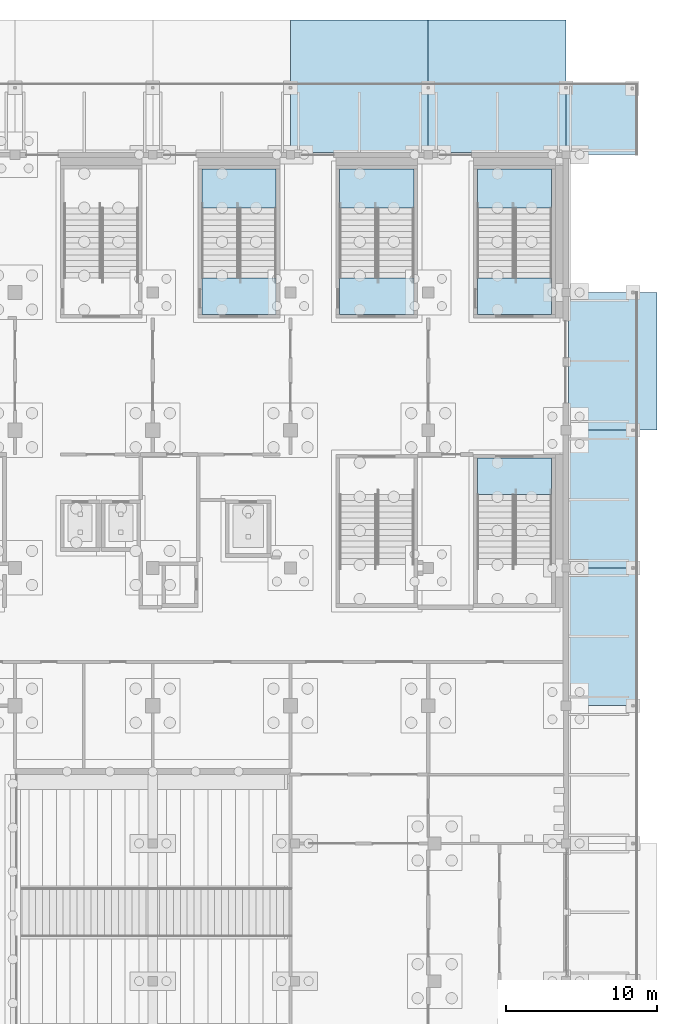
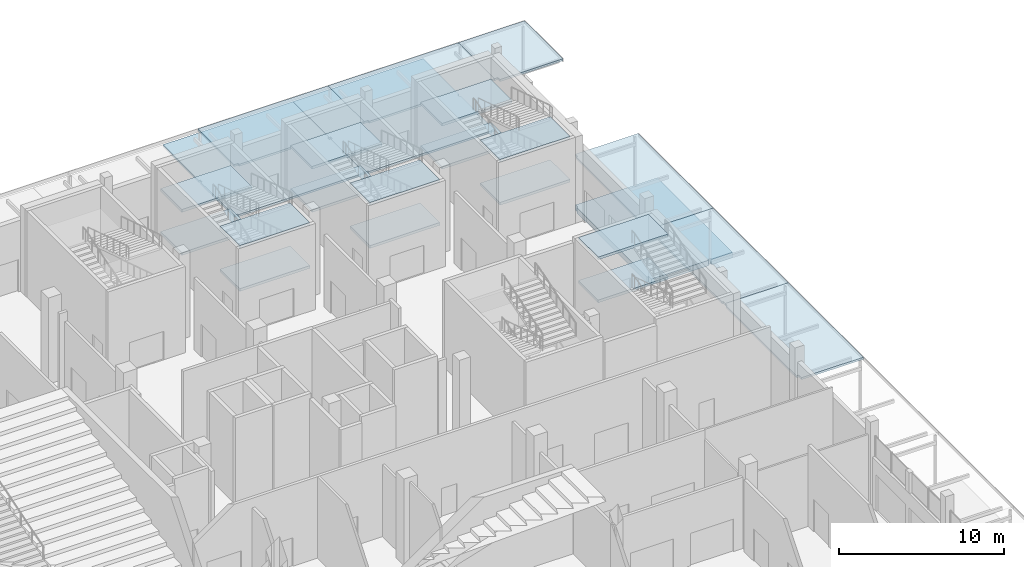
# One storey, part 66 of 129: 23 slabs, 4 elements without a shape of their own.
"""IFC4 building model written with IfcOpenShell, lengths in metres."""

from ifc_helpers import new_model, si_unit, direction, frame, origin, place, context, subcontext, project, spatial, polyline, outline, extrude, material, layer, layer_set, type_object, element, aggregate, save


model = new_model("IFC4")

# Units and contexts
model_context = context("Model", 3, precision=1e-05, world=origin(), true_north=direction((0.0, 1.0)))
body_context = subcontext(model_context, "Body", "Model", "MODEL_VIEW")
ifc_project = project(units=[si_unit("LENGTHUNIT", "METRE"), si_unit("AREAUNIT", "SQUARE_METRE"), si_unit("VOLUMEUNIT", "CUBIC_METRE"), si_unit("PLANEANGLEUNIT", "RADIAN"), si_unit("MASSUNIT", "GRAM", prefix="KILO")], contexts=[model_context])

# Site, building, storey
site_placement = place(None, origin())
site = spatial("IfcSite", under=ifc_project, at=site_placement, CompositionType="ELEMENT")
building_placement = place(site_placement, origin())
building = spatial("IfcBuilding", under=site, at=building_placement, Name="Shirokan Park Arena", CompositionType="ELEMENT")
storey_placement = place(building_placement, origin())
storey = spatial("IfcBuildingStorey", under=building, at=storey_placement, Name="L00", CompositionType="ELEMENT", Elevation=0.0)

# Slabs
ifc_material_1 = material(Name="Zinc standing seam sheet")
ifc_layer_1 = layer(ifc_material_1, 0.0048828125, Name="Zinc standing seam sheet")
ifc_material_2 = material(Name="Mineral wool insulation")
ifc_layer_2 = layer(ifc_material_2, 0.050048828125, Name="Mineral wool insulation")
ifc_material_3 = material(Name="Cross-laminated timber deck", Category="wood")
ifc_layer_3 = layer(ifc_material_3, 0.094970703125, Name="Cross-laminated timber deck")
ifc_layer_set_1 = layer_set([ifc_layer_1, ifc_layer_2, ifc_layer_3], Name="Zinc standing seam sheet + Mineral wool insulation + Cross-laminated timber deck")
slab_type_1 = type_object("IfcSlabType", Name="Canopy deck 150", PredefinedType="ROOF", material=ifc_layer_set_1)
slab_1_placement = place(storey_placement, frame((0.0, 0.0, 3.60009765625)))
element("IfcSlab", 1, at=slab_1_placement, inside=storey, type_object=slab_type_1, Name="Canopy deck east bay 9", PredefinedType="ROOF", context=body_context, shape_type="SweptSolid", body=[
    extrude(outline(polyline([(145.75, 81.64990234375), (145.85009765625, 81.64990234375), (145.85009765625, 81.89990234375), (150.25, 81.89990234375), (150.25, 72.800048828125), (145.925048828125, 72.800048828125), (145.925048828125, 73.125), (145.75, 73.125), (145.75, 81.64990234375)])), origin(), (0.0, 0.0, 1.0), 0.14990234375),
])
slab_2_placement = place(storey_placement, frame((0.0, 0.0, 3.60009765625)))
element("IfcSlab", 2, at=slab_2_placement, inside=storey, type_object=slab_type_1, Name="Canopy deck east bay 10", PredefinedType="ROOF", context=body_context, shape_type="SweptSolid", body=[
    extrude(outline(polyline([(145.75, 90.675048828125), (145.925048828125, 90.675048828125), (145.925048828125, 91.0), (150.25, 91.0), (150.25, 81.89990234375), (145.85009765625, 81.89990234375), (145.85009765625, 82.14990234375), (145.75, 82.14990234375), (145.75, 90.675048828125)])), origin(), (0.0, 0.0, 1.0), 0.14990234375),
])
slab_3_placement = place(storey_placement, frame((0.0, 0.0, 3.60009765625)))
element("IfcSlab", 3, at=slab_3_placement, inside=storey, type_object=slab_type_1, Name="Canopy deck east bay 11", PredefinedType="ROOF", context=body_context, shape_type="SweptSolid", body=[
    extrude(outline(polyline([(145.75, 99.824951171875), (145.875, 99.824951171875), (145.875, 100.10009765625), (150.25, 100.10009765625), (150.25, 91.0), (145.925048828125, 91.0), (145.925048828125, 91.324951171875), (145.75, 91.324951171875), (145.75, 99.824951171875)])), origin(), (0.0, 0.0, 1.0), 0.14990234375),
])
slab_4_placement = place(storey_placement, frame((0.0, 0.0, 3.60009765625)))
element("IfcSlab", 4, at=slab_4_placement, inside=storey, type_object=slab_type_1, Name="Canopy deck north bay 1", PredefinedType="ROOF", context=body_context, shape_type="SweptSolid", body=[
    extrude(outline(polyline([(136.77490234375, 109.35009765625), (136.77490234375, 109.47509765625), (136.5, 109.47509765625), (136.5, 113.85009765625), (145.60009765625, 113.85009765625), (145.60009765625, 109.449951171875), (145.35009765625, 109.449951171875), (145.35009765625, 109.35009765625), (136.77490234375, 109.35009765625)])), origin(), (0.0, 0.0, 1.0), 0.14990234375),
])
slab_5_placement = place(storey_placement, frame((0.0, 0.0, 3.60009765625)))
element("IfcSlab", 5, at=slab_5_placement, inside=storey, type_object=slab_type_1, Name="Canopy deck north bay 2", PredefinedType="ROOF", context=body_context, shape_type="SweptSolid", body=[
    extrude(outline(polyline([(127.675048828125, 109.35009765625), (127.675048828125, 109.47509765625), (127.39990234375, 109.47509765625), (127.39990234375, 113.85009765625), (136.5, 113.85009765625), (136.5, 109.47509765625), (136.22509765625, 109.47509765625), (136.22509765625, 109.35009765625), (127.675048828125, 109.35009765625)])), origin(), (0.0, 0.0, 1.0), 0.14990234375),
])
slab_6_placement = place(storey_placement, frame((0.0, 0.0, 3.60009765625)))
element("IfcSlab", 6, at=slab_6_placement, inside=storey, type_object=slab_type_1, Name="Canopy deck NE corner", PredefinedType="ROOF", context=body_context, shape_type="SweptSolid", body=[
    extrude(outline(polyline([(145.60009765625, 113.85009765625), (150.25, 113.85009765625), (150.25, 109.199951171875), (145.85009765625, 109.199951171875), (145.85009765625, 109.449951171875), (145.60009765625, 109.449951171875), (145.60009765625, 113.85009765625)])), origin(), (0.0, 0.0, 1.0), 0.14990234375),
])
ifc_material_4 = material(Name="Concrete paving C30", Category="concrete")
ifc_layer_4 = layer(ifc_material_4, 0.080078125, Name="Concrete paving C30")
ifc_material_5 = material(Name="Compacted aggregate sub-base")
ifc_layer_5 = layer(ifc_material_5, 0.320068359375, Name="Compacted aggregate sub-base")
ifc_layer_set_2 = layer_set([ifc_layer_4, ifc_layer_5], Name="Concrete paving C30 + Compacted aggregate sub-base")
slab_type_2 = type_object("IfcSlabType", Name="Paving slab 400", PredefinedType="FLOOR", material=ifc_layer_set_2)
slab_7_placement = place(storey_placement, frame((0.0, 0.0, -0.39990234375)))
element("IfcSlab", 7, at=slab_7_placement, inside=storey, type_object=slab_type_2, Name="Paving outside east bay 11", PredefinedType="FLOOR", context=body_context, shape_type="SweptSolid", body=[
    extrude(outline(polyline([(145.875, 99.824951171875), (145.875, 100.10009765625), (149.925048828125, 100.10009765625), (149.925048828125, 100.0), (150.125, 100.0), (150.125, 100.10009765625), (151.60009765625, 100.10009765625), (151.60009765625, 91.0), (150.125, 91.0), (150.125, 91.10009765625), (149.925048828125, 91.10009765625), (149.925048828125, 91.0), (145.925048828125, 91.0), (145.925048828125, 91.324951171875), (145.800048828125, 91.324951171875), (145.800048828125, 99.824951171875), (145.875, 99.824951171875)])), origin(), (0.0, 0.0, 1.0), 0.39990234375),
])

# Stair, slabs
ifc_material_6 = material(Name="Concrete C30 precast", Category="concrete")
stair_type = type_object("IfcStairType", Name="Stair 52 risers 122 x 385 2400 wide", PredefinedType="DOUBLE_RETURN_STAIR", material=ifc_material_6)
stair_1_placement = place(storey_placement, origin())
stair_1 = element("IfcStair", 8, at=stair_1_placement, inside=storey, type_object=stair_type, Name="Exit Stair 3.A L00 to L01", PredefinedType="DOUBLE_RETURN_STAIR")
ifc_layer_6 = layer(ifc_material_6, 0.199951171875)
ifc_layer_set_3 = layer_set([ifc_layer_6], Name="Concrete C30 precast 200 mm")
slab_type_3 = type_object("IfcSlabType", Name="Stair landing 200", PredefinedType="LANDING", material=ifc_layer_set_3)
slab_8_placement = place(storey_placement, frame((0.0, 0.0, 1.392578125)))
slab_8 = element("IfcSlab", 9, at=slab_8_placement, type_object=slab_type_3, Name="ST16.1 landing 1", PredefinedType="LANDING", context=body_context, shape_type="SweptSolid", body=[
    extrude(outline(polyline([(139.75, 105.669921875), (144.64990234375, 105.669921875), (144.64990234375, 108.25), (139.75, 108.25), (139.75, 105.669921875)])), origin(), (0.0, 0.0, 1.0), 0.199951171875),
])
slab_9_placement = place(storey_placement, frame((0.0, 0.0, 2.985107421875)))
slab_9 = element("IfcSlab", 10, at=slab_9_placement, type_object=slab_type_3, Name="ST16.1 landing 2", PredefinedType="LANDING", context=body_context, shape_type="SweptSolid", body=[
    extrude(outline(polyline([(139.75, 98.64990234375), (144.64990234375, 98.64990234375), (144.64990234375, 101.050048828125), (139.75, 101.050048828125), (139.75, 98.64990234375)])), origin(), (0.0, 0.0, 1.0), 0.199951171875),
])
slab_10_placement = place(storey_placement, frame((0.0, 0.0, 4.577392578125)))
slab_10 = element("IfcSlab", 11, at=slab_10_placement, type_object=slab_type_3, Name="ST16.1 landing 3", PredefinedType="LANDING", context=body_context, shape_type="SweptSolid", body=[
    extrude(outline(polyline([(139.75, 105.669921875), (144.64990234375, 105.669921875), (144.64990234375, 108.25), (139.75, 108.25), (139.75, 105.669921875)])), origin(), (0.0, 0.0, 1.0), 0.2001953125),
])
slab_11_placement = place(storey_placement, frame((0.0, 0.0, 6.169921875)))
slab_11 = element("IfcSlab", 12, at=slab_11_placement, type_object=slab_type_3, Name="ST16.1 landing 4", PredefinedType="LANDING", context=body_context, shape_type="SweptSolid", body=[
    extrude(outline(polyline([(139.75, 98.64990234375), (144.64990234375, 98.64990234375), (144.64990234375, 101.050048828125), (139.75, 101.050048828125), (139.75, 98.64990234375)])), origin(), (0.0, 0.0, 1.0), 0.2001953125),
])
aggregate(stair_1, [slab_8, slab_9, slab_10, slab_11])

stair_2_placement = place(storey_placement, origin())
stair_2 = element("IfcStair", 13, at=stair_2_placement, inside=storey, type_object=stair_type, Name="Exit Stair 3.B L00 to L01", PredefinedType="DOUBLE_RETURN_STAIR")
slab_12_placement = place(storey_placement, frame((0.0, 0.0, 1.392578125)))
slab_12 = element("IfcSlab", 14, at=slab_12_placement, type_object=slab_type_3, Name="ST17.1 landing 1", PredefinedType="LANDING", context=body_context, shape_type="SweptSolid", body=[
    extrude(outline(polyline([(130.64990234375, 105.669921875), (135.550048828125, 105.669921875), (135.550048828125, 108.25), (130.64990234375, 108.25), (130.64990234375, 105.669921875)])), origin(), (0.0, 0.0, 1.0), 0.199951171875),
])
slab_13_placement = place(storey_placement, frame((0.0, 0.0, 2.985107421875)))
slab_13 = element("IfcSlab", 15, at=slab_13_placement, type_object=slab_type_3, Name="ST17.1 landing 2", PredefinedType="LANDING", context=body_context, shape_type="SweptSolid", body=[
    extrude(outline(polyline([(130.64990234375, 98.64990234375), (135.550048828125, 98.64990234375), (135.550048828125, 101.050048828125), (130.64990234375, 101.050048828125), (130.64990234375, 98.64990234375)])), origin(), (0.0, 0.0, 1.0), 0.199951171875),
])
slab_14_placement = place(storey_placement, frame((0.0, 0.0, 4.577392578125)))
slab_14 = element("IfcSlab", 16, at=slab_14_placement, type_object=slab_type_3, Name="ST17.1 landing 3", PredefinedType="LANDING", context=body_context, shape_type="SweptSolid", body=[
    extrude(outline(polyline([(130.64990234375, 105.669921875), (135.550048828125, 105.669921875), (135.550048828125, 108.25), (130.64990234375, 108.25), (130.64990234375, 105.669921875)])), origin(), (0.0, 0.0, 1.0), 0.2001953125),
])
slab_15_placement = place(storey_placement, frame((0.0, 0.0, 6.169921875)))
slab_15 = element("IfcSlab", 17, at=slab_15_placement, type_object=slab_type_3, Name="ST17.1 landing 4", PredefinedType="LANDING", context=body_context, shape_type="SweptSolid", body=[
    extrude(outline(polyline([(130.64990234375, 98.64990234375), (135.550048828125, 98.64990234375), (135.550048828125, 101.050048828125), (130.64990234375, 101.050048828125), (130.64990234375, 98.64990234375)])), origin(), (0.0, 0.0, 1.0), 0.2001953125),
])
aggregate(stair_2, [slab_12, slab_13, slab_14, slab_15])

stair_3_placement = place(storey_placement, origin())
stair_3 = element("IfcStair", 18, at=stair_3_placement, inside=storey, type_object=stair_type, Name="Exit Stair 3.C L00 to L01", PredefinedType="DOUBLE_RETURN_STAIR")
slab_16_placement = place(storey_placement, frame((0.0, 0.0, 1.392578125)))
slab_16 = element("IfcSlab", 19, at=slab_16_placement, type_object=slab_type_3, Name="ST18.1 landing 1", PredefinedType="LANDING", context=body_context, shape_type="SweptSolid", body=[
    extrude(outline(polyline([(121.550048828125, 105.669921875), (126.449951171875, 105.669921875), (126.449951171875, 108.25), (121.550048828125, 108.25), (121.550048828125, 105.669921875)])), origin(), (0.0, 0.0, 1.0), 0.199951171875),
])
slab_17_placement = place(storey_placement, frame((0.0, 0.0, 2.985107421875)))
slab_17 = element("IfcSlab", 20, at=slab_17_placement, type_object=slab_type_3, Name="ST18.1 landing 2", PredefinedType="LANDING", context=body_context, shape_type="SweptSolid", body=[
    extrude(outline(polyline([(121.550048828125, 98.64990234375), (126.449951171875, 98.64990234375), (126.449951171875, 101.050048828125), (121.550048828125, 101.050048828125), (121.550048828125, 98.64990234375)])), origin(), (0.0, 0.0, 1.0), 0.199951171875),
])
slab_18_placement = place(storey_placement, frame((0.0, 0.0, 4.577392578125)))
slab_18 = element("IfcSlab", 21, at=slab_18_placement, type_object=slab_type_3, Name="ST18.1 landing 3", PredefinedType="LANDING", context=body_context, shape_type="SweptSolid", body=[
    extrude(outline(polyline([(121.550048828125, 105.669921875), (126.449951171875, 105.669921875), (126.449951171875, 108.25), (121.550048828125, 108.25), (121.550048828125, 105.669921875)])), origin(), (0.0, 0.0, 1.0), 0.2001953125),
])
slab_19_placement = place(storey_placement, frame((0.0, 0.0, 6.169921875)))
slab_19 = element("IfcSlab", 22, at=slab_19_placement, type_object=slab_type_3, Name="ST18.1 landing 4", PredefinedType="LANDING", context=body_context, shape_type="SweptSolid", body=[
    extrude(outline(polyline([(121.550048828125, 98.64990234375), (126.449951171875, 98.64990234375), (126.449951171875, 101.050048828125), (121.550048828125, 101.050048828125), (121.550048828125, 98.64990234375)])), origin(), (0.0, 0.0, 1.0), 0.2001953125),
])
aggregate(stair_3, [slab_16, slab_17, slab_18, slab_19])

stair_4_placement = place(storey_placement, origin())
stair_4 = element("IfcStair", 23, at=stair_4_placement, inside=storey, type_object=stair_type, Name="Exit Stair 3.E L00 to L01", PredefinedType="DOUBLE_RETURN_STAIR")
slab_20_placement = place(storey_placement, frame((0.0, 0.0, 2.985107421875)))
slab_20 = element("IfcSlab", 24, at=slab_20_placement, type_object=slab_type_3, Name="ST20.1 landing 2", PredefinedType="LANDING", context=body_context, shape_type="SweptSolid", body=[
    extrude(outline(polyline([(139.75, 86.75), (144.64990234375, 86.75), (144.64990234375, 89.14990234375), (139.75, 89.14990234375), (139.75, 86.75)])), origin(), (0.0, 0.0, 1.0), 0.199951171875),
])
slab_21_placement = place(storey_placement, frame((0.0, 0.0, 6.169921875)))
slab_21 = element("IfcSlab", 25, at=slab_21_placement, type_object=slab_type_3, Name="ST20.1 landing 4", PredefinedType="LANDING", context=body_context, shape_type="SweptSolid", body=[
    extrude(outline(polyline([(139.75, 86.75), (144.64990234375, 86.75), (144.64990234375, 89.14990234375), (139.75, 89.14990234375), (139.75, 86.75)])), origin(), (0.0, 0.0, 1.0), 0.2001953125),
])
aggregate(stair_4, [slab_20, slab_21])

# Slabs
ifc_material_7 = material(Name="Hardwood decking", Category="wood")
ifc_layer_7 = layer(ifc_material_7, 0.030029296875, Name="Hardwood decking")
ifc_material_8 = material(Name="Timber joists and battens", Category="wood")
ifc_layer_8 = layer(ifc_material_8, 0.10009765625, Name="Timber joists and battens")
ifc_material_9 = material(Name="Waterproofing membrane")
ifc_layer_9 = layer(ifc_material_9, 0.02001953125, Name="Waterproofing membrane")
ifc_layer_set_4 = layer_set([ifc_layer_7, ifc_layer_8, ifc_layer_9], Name="Hardwood decking + Timber joists and battens + Waterproofing membrane")
slab_type_4 = type_object("IfcSlabType", Name="Timber engawa deck 150", PredefinedType="FLOOR", material=ifc_layer_set_4)
slab_22_placement = place(storey_placement, frame((0.0, 0.0, -0.14990234375)))
element("IfcSlab", 26, at=slab_22_placement, inside=storey, type_object=slab_type_4, Name="Engawa deck bay 1", PredefinedType="FLOOR", context=body_context, shape_type="SweptSolid", body=[
    extrude(outline(polyline([(136.77490234375, 109.47509765625), (136.5, 109.47509765625), (136.5, 113.52490234375), (136.60009765625, 113.52490234375), (136.60009765625, 113.72509765625), (136.5, 113.72509765625), (136.5, 118.10009765625), (145.60009765625, 118.10009765625), (145.60009765625, 113.72509765625), (145.5, 113.72509765625), (145.5, 113.52490234375), (145.60009765625, 113.52490234375), (145.60009765625, 109.449951171875), (145.35009765625, 109.449951171875), (145.35009765625, 109.39990234375), (136.77490234375, 109.39990234375), (136.77490234375, 109.47509765625)])), origin(), (0.0, 0.0, 1.0), 0.14990234375),
])
slab_23_placement = place(storey_placement, frame((0.0, 0.0, -0.14990234375)))
element("IfcSlab", 27, at=slab_23_placement, inside=storey, type_object=slab_type_4, Name="Engawa deck bay 2", PredefinedType="FLOOR", context=body_context, shape_type="SweptSolid", body=[
    extrude(outline(polyline([(127.675048828125, 109.47509765625), (127.39990234375, 109.47509765625), (127.39990234375, 113.52490234375), (127.5, 113.52490234375), (127.5, 113.72509765625), (127.39990234375, 113.72509765625), (127.39990234375, 118.10009765625), (136.5, 118.10009765625), (136.5, 113.72509765625), (136.39990234375, 113.72509765625), (136.39990234375, 113.52490234375), (136.5, 113.52490234375), (136.5, 109.47509765625), (136.22509765625, 109.47509765625), (136.22509765625, 109.39990234375), (127.675048828125, 109.39990234375), (127.675048828125, 109.47509765625)])), origin(), (0.0, 0.0, 1.0), 0.14990234375),
])

save(model, "model.ifc")
